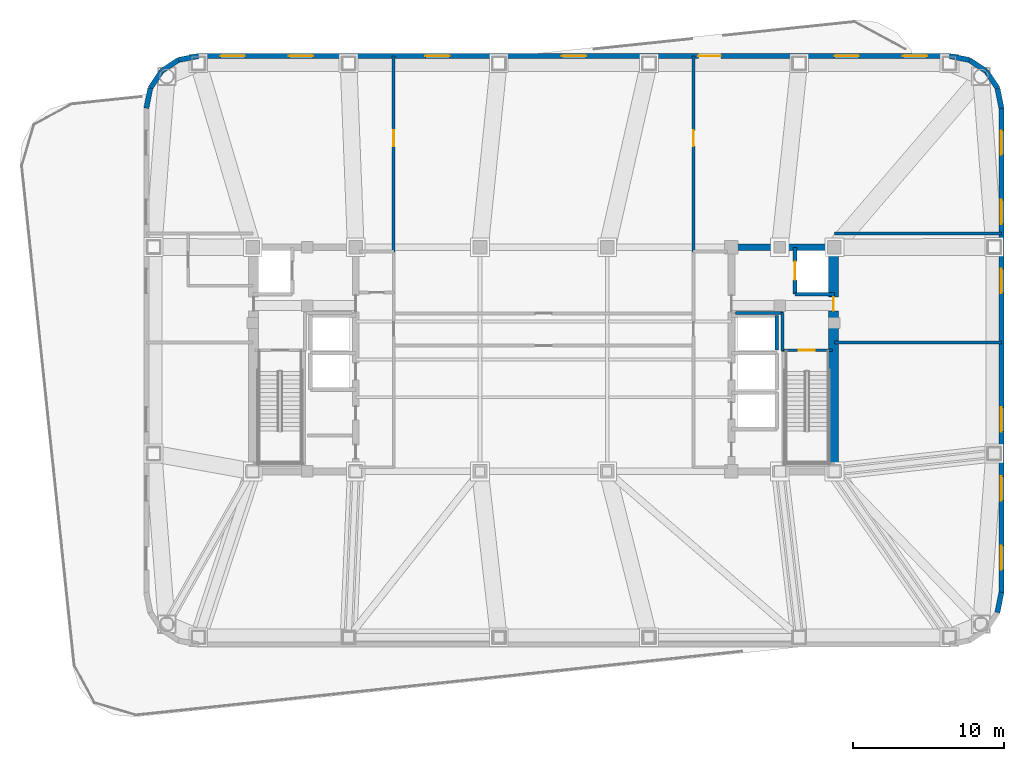
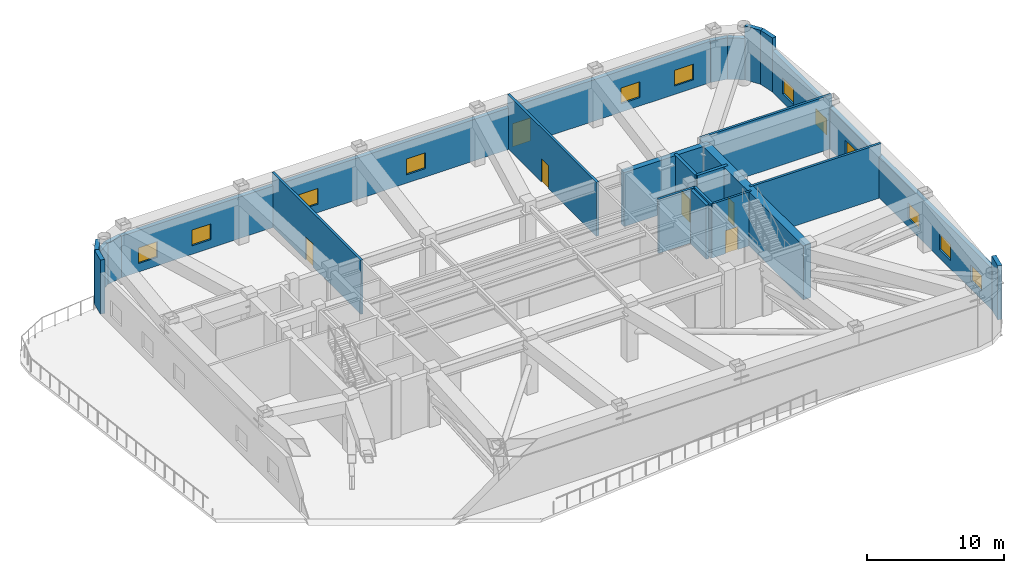
# One storey, part 5 of 10: 23 walls, 12 windows, 6 doors, 18 openings.
"""IFC4 building model written with IfcOpenShell, lengths in metres."""

import ifcopenshell
import ifcopenshell.guid

model = None  # the IFC model being written
_history = None  # IfcOwnerHistory: only IFC2X3 demands one
_inside = {}  # id of a spatial element -> (the spatial element, [elements in it])
_under = {}  # id of a project, library or spatial element -> (it, [spatial elements below it])
_declared = {}  # id of a project -> (the project, [libraries it declares])
_typed = {}  # id of a type object -> (the type object, [elements of that type])
_made_of = {}  # id of a material, layer set ... -> (it, [elements and type objects made of it])


def new_model(schema):
    """Start an empty IFC model of exactly this schema.

    Asked for "IFC4X3", IfcOpenShell would pick the latest addendum, in which some entities
    have other attributes; the version numbers below select the first issue.
    IFC2X3 requires an IfcOwnerHistory on every rooted entity: one is made here for all.
    """
    global model, _history
    if schema == "IFC4X3":
        model = ifcopenshell.file(schema_version=(4, 3, 0, 0))
    else:
        model = ifcopenshell.file(schema=schema)
    _inside.clear()
    _under.clear()
    _declared.clear()
    _typed.clear()
    _made_of.clear()
    _history = None
    if model.schema == "IFC2X3":
        org = make("IfcOrganization", Name="unknown")
        user = make(
            "IfcPersonAndOrganization",
            ThePerson=make("IfcPerson", FamilyName="unknown"),
            TheOrganization=org,
        )
        app = make(
            "IfcApplication",
            ApplicationDeveloper=org,
            Version="unknown",
            ApplicationFullName="unknown",
            ApplicationIdentifier="unknown",
        )
        _history = make(
            "IfcOwnerHistory",
            OwningUser=user,
            OwningApplication=app,
            ChangeAction="ADDED",
            CreationDate=0,
        )
    return model


def make(cls, **values):
    """One entity of the class cls with the attributes given. An attribute that is None is left unset."""
    return model.create_entity(
        cls, **{name: value for name, value in values.items() if value is not None}
    )


def rooted(cls, **values):
    """An entity with a GlobalId (a new one), such as an element, a storey or a relation."""
    return make(cls, GlobalId=ifcopenshell.guid.new(), OwnerHistory=_history, **values)


def si_unit(unit_type, name, prefix=None):
    """IfcSIUnit, for example si_unit("LENGTHUNIT", "METRE", prefix="MILLI")."""
    return make("IfcSIUnit", UnitType=unit_type, Prefix=prefix, Name=name)


def assignment(units):
    """IfcUnitAssignment: the units of a project."""
    return None if units is None else make("IfcUnitAssignment", Units=units)


def point(xyz):
    """IfcCartesianPoint."""
    return None if xyz is None else make("IfcCartesianPoint", Coordinates=xyz)


def direction(xyz):
    """IfcDirection."""
    return None if xyz is None else make("IfcDirection", DirectionRatios=xyz)


def frame(location, z_axis=None, x_axis=None):
    """IfcAxis2Placement3D, a coordinate frame: its origin and axes. An axis left out is left unset."""
    return make(
        "IfcAxis2Placement3D",
        Location=point(location),
        Axis=direction(z_axis),
        RefDirection=direction(x_axis),
    )


def frame_2d(location, x_axis=None):
    """IfcAxis2Placement2D, a coordinate frame in the plane: its origin and x axis."""
    return make(
        "IfcAxis2Placement2D", Location=point(location), RefDirection=direction(x_axis)
    )


def origin():
    """The frame at (0, 0, 0) with its axes left unset."""
    return frame((0.0, 0.0, 0.0))


def place(relative_to, where):
    """IfcLocalPlacement: puts the frame where relative to a parent placement (None: the world)."""
    return make(
        "IfcLocalPlacement", PlacementRelTo=relative_to, RelativePlacement=where
    )


def context(
    kind, dimensions, precision=None, world=None, true_north=None, identifier=None
):
    """IfcGeometricRepresentationContext, for example the 3D "Model" context."""
    return make(
        "IfcGeometricRepresentationContext",
        ContextIdentifier=identifier,
        ContextType=kind,
        CoordinateSpaceDimension=dimensions,
        Precision=precision,
        WorldCoordinateSystem=world,
        TrueNorth=true_north,
    )


def subcontext(parent, identifier, kind, view, scale=None):
    """IfcGeometricRepresentationSubContext, for example "Body" below "Model"."""
    return make(
        "IfcGeometricRepresentationSubContext",
        ContextIdentifier=identifier,
        ContextType=kind,
        ParentContext=parent,
        TargetScale=scale,
        TargetView=view,
    )


def project(units=None, contexts=None):
    """IfcProject with its units and contexts."""
    return rooted(
        "IfcProject",
        Name="project",
        RepresentationContexts=contexts,
        UnitsInContext=assignment(units),
    )


def spatial(cls, under=None, at=None, **own):
    """A site, building, storey or space (cls), placed at a placement, below another one or the project."""
    s = rooted(cls, ObjectPlacement=at, **own)
    if under is not None:
        _under.setdefault(under.id(), (under, []))[1].append(s)
    return s


def profile(cls, at=None, kind="AREA", **sizes):
    """A parametric profile (cls). Its sizes go by their IFC names, for example OverallWidth=200.0."""
    return make(cls, ProfileType=kind, Position=at, **sizes)


def rectangle(**sizes):
    """IfcRectangleProfileDef."""
    return profile("IfcRectangleProfileDef", **sizes)


def extrude(swept, where, along, depth):
    """IfcExtrudedAreaSolid: the profile swept, set in the frame where, extruded along a direction by depth."""
    return make(
        "IfcExtrudedAreaSolid",
        SweptArea=swept,
        Position=where,
        ExtrudedDirection=direction(along),
        Depth=depth,
    )


def shape(context_of_items, identifier, shape_type, items):
    """IfcShapeRepresentation: the items that make up one representation, for example the "Body"."""
    return make(
        "IfcShapeRepresentation",
        ContextOfItems=context_of_items,
        RepresentationIdentifier=identifier,
        RepresentationType=shape_type,
        Items=items,
    )


def material(Name=None, Category=None):
    """IfcMaterial."""
    return make("IfcMaterial", Name=Name, Category=Category)


def layer(
    of_material, thickness, ventilated=None, Name=None, Category=None, Priority=None
):
    """IfcMaterialLayer: one layer of a wall or slab, of a material (None: an air gap)."""
    return make(
        "IfcMaterialLayer",
        Material=of_material,
        LayerThickness=thickness,
        IsVentilated=ventilated,
        Name=Name,
        Category=Category,
        Priority=Priority,
    )


def layer_set(layers, Name=None):
    """IfcMaterialLayerSet."""
    return make("IfcMaterialLayerSet", MaterialLayers=layers, LayerSetName=Name)


def made_of(thing, what):
    """Note that an element or type object is made of a material, layer set ...; save() writes the relation."""
    if what is not None:
        _made_of.setdefault(what.id(), (what, []))[1].append(thing)
    return thing


def type_object(cls, material=None, **own):
    """A type object (cls), such as IfcWallType, which elements share."""
    return made_of(rooted(cls, **own), material)


def element(
    cls,
    number,
    at=None,
    inside=None,
    cuts=None,
    type_object=None,
    material=None,
    context=None,
    identifier="Body",
    shape_type=None,
    held_by="IfcProductDefinitionShape",
    body=None,
    shapes=None,
    **own,
):
    """One element of the class cls, such as IfcWall. Its Tag is "e" and its number.

    at: its placement. inside: the storey or other place that contains it. cuts: it is an
    opening in that element (IfcRelVoidsElement). A single representation is given by context,
    identifier, shape_type and body (its items); several are given by shapes. held_by: the class
    of the entity that holds the representations. save() writes the other relations.
    """
    e = rooted(cls, Tag="e%d" % number, ObjectPlacement=at, **own)
    if body is not None:
        shapes = [shape(context, identifier, shape_type, body)]
    if shapes is not None:
        e.Representation = make(held_by, Representations=shapes)
    if inside is not None:
        _inside.setdefault(inside.id(), (inside, []))[1].append(e)
    if cuts is not None:
        rooted(
            "IfcRelVoidsElement", RelatingBuildingElement=cuts, RelatedOpeningElement=e
        )
    if type_object is not None:
        _typed.setdefault(type_object.id(), (type_object, []))[1].append(e)
    return made_of(e, material)


def fill(opening, filler):
    """IfcRelFillsElement: the door or window that sits in an opening."""
    return rooted(
        "IfcRelFillsElement",
        RelatingOpeningElement=opening,
        RelatedBuildingElement=filler,
    )


def aggregate(whole, parts):
    """IfcRelAggregates: a whole, such as a stair, and the parts it consists of."""
    return rooted("IfcRelAggregates", RelatingObject=whole, RelatedObjects=parts)


def save(model, path):
    """Write the relations noted so far, then the file.

    IfcRelAggregates (storeys below a building ...), IfcRelContainedInSpatialStructure (elements
    in a storey), IfcRelDefinesByType, IfcRelAssociatesMaterial and IfcRelDeclares: one each for
    every whole, place, type object, material and project.
    """
    for whole, parts in _under.values():
        aggregate(whole, parts)
    for where, things in _inside.values():
        rooted(
            "IfcRelContainedInSpatialStructure",
            RelatedElements=things,
            RelatingStructure=where,
        )
    for kind, things in _typed.values():
        rooted("IfcRelDefinesByType", RelatedObjects=things, RelatingType=kind)
    for what, things in _made_of.values():
        rooted("IfcRelAssociatesMaterial", RelatedObjects=things, RelatingMaterial=what)
    for by, libraries in _declared.values():
        rooted("IfcRelDeclares", RelatingContext=by, RelatedDefinitions=libraries)
    model.write(path)


model = new_model("IFC4")

# Units and contexts
model_context = context("Model", 3, precision=1e-05, world=origin(), true_north=direction((0.0, 1.0)))
body_context = subcontext(model_context, "Body", "Model", "MODEL_VIEW")
ifc_project = project(units=[si_unit("LENGTHUNIT", "METRE"), si_unit("AREAUNIT", "SQUARE_METRE"), si_unit("VOLUMEUNIT", "CUBIC_METRE"), si_unit("PLANEANGLEUNIT", "RADIAN"), si_unit("MASSUNIT", "GRAM", prefix="KILO")], contexts=[model_context])

# Site, building, storey
site_placement = place(None, origin())
site = spatial("IfcSite", under=ifc_project, at=site_placement, CompositionType="ELEMENT")
building_placement = place(site_placement, origin())
building = spatial("IfcBuilding", under=site, at=building_placement, Name="Voryun Gate Residences", CompositionType="ELEMENT")
storey_placement = place(building_placement, frame((0.0, 0.0, 195.0)))
storey = spatial("IfcBuildingStorey", under=building, at=storey_placement, Name="L48", CompositionType="ELEMENT", Elevation=195.0)

# Wall
ifc_material_1 = material(Name="Concrete C50/60", Category="concrete")
ifc_layer_1 = layer(ifc_material_1, 0.449951171875, Name="CW_CORE_450")
ifc_layer_set_1 = layer_set([ifc_layer_1], Name="Concrete C50/60")
wall_type_1 = type_object("IfcWallType", Name="CW_CORE_450", PredefinedType="SHEAR", material=ifc_layer_set_1)
wall_1_placement = place(storey_placement, frame((12.175048828125, 7.39990234375, 0.0), z_axis=(0.0, 0.0, 1.0), x_axis=(1.0, 0.0, 0.0)))
element("IfcWall", 1, at=wall_1_placement, inside=storey, type_object=wall_type_1, Name="L48 Core shear wall CW-L48-EN", PredefinedType="SHEAR", context=body_context, shape_type="SweptSolid", body=[
    extrude(rectangle(XDim=7.25, YDim=0.449951171875, at=frame_2d((3.625, 0.0))), origin(), (0.0, 0.0, 1.0), 4.800048828125),
])

# Wall, opening, door
ifc_material_2 = material(Name="Concrete C60/75", Category="concrete")
ifc_layer_2 = layer(ifc_material_2, 0.64990234375, Name="CW_CORE_650")
ifc_layer_set_2 = layer_set([ifc_layer_2], Name="Concrete C60/75")
wall_type_2 = type_object("IfcWallType", Name="CW_CORE_650", PredefinedType="SHEAR", material=ifc_layer_set_2)
wall_2_placement = place(storey_placement, frame((19.14501953125, -7.39990234375, 0.0), z_axis=(0.0, 0.0, 1.0), x_axis=(0.0, 1.0, 0.0)))
wall_2 = element("IfcWall", 2, at=wall_2_placement, inside=storey, type_object=wall_type_2, Name="L48 Core shear wall CW-L48-EE", PredefinedType="SHEAR", context=body_context, shape_type="SweptSolid", body=[
    extrude(rectangle(XDim=14.7998046875, YDim=0.64990234375, at=frame_2d((7.39990234375, 0.0))), origin(), (0.0, 0.0, 1.0), 4.800048828125),
])
opening_1_placement = place(wall_2_placement, frame((10.60009765625, 0.0, 0.0)))
opening_1 = element("IfcOpeningElement", 3, at=opening_1_placement, cuts=wall_2, Name="Opening D-FD60-4", PredefinedType="OPENING", context=body_context, shape_type="SweptSolid", body=[
    extrude(rectangle(XDim=0.89990234375, YDim=2.050048828125, at=frame_2d((0.449951171875, 1.02490234375))), frame((0.0, 0.3349609375, 0.0), z_axis=(0.0, -1.0, 0.0), x_axis=(1.0, 0.0, 0.0)), (0.0, 0.0, 1.0), 0.669921875),
])
ifc_material_3 = material(Name="Painted steel fire door", Category="steel")
door_type_1 = type_object("IfcDoorType", Name="DR_FD60_RISER_900", OperationType="NOTDEFINED", PredefinedType="DOOR", material=ifc_material_3)
door_1_placement = place(opening_1_placement, origin())
door_1 = element("IfcDoor", 4, at=door_1_placement, inside=storey, type_object=door_type_1, Name="Door DR-L48-STREF-E", OperationType="SINGLE_SWING_LEFT", OverallHeight=2.050048828125, OverallWidth=0.89990234375, PredefinedType="DOOR", context=body_context, shape_type="SweptSolid", body=[
    extrude(rectangle(XDim=0.89990234375, YDim=2.050048828125, at=frame_2d((0.449951171875, 1.02490234375))), frame((0.0, 0.02490234375, 0.0), z_axis=(0.0, -1.0, 0.0), x_axis=(1.0, 0.0, 0.0)), (0.0, 0.0, 1.0), 0.050048828125),
])
fill(opening_1, door_1)

ifc_material_4 = material(Name="Gypsum acoustic fireboard")
ifc_layer_3 = layer(ifc_material_4, 0.179931640625, Name="W_CORR_RATED_180")
ifc_layer_set_3 = layer_set([ifc_layer_3], Name="Gypsum acoustic fireboard")
wall_type_3 = type_object("IfcWallType", Name="W_CORR_RATED_180", PredefinedType="PARTITIONING", material=ifc_layer_set_3)
wall_3_placement = place(storey_placement, frame((15.699951171875, 0.60009765625, 0.0), z_axis=(0.0, 0.0, 1.0), x_axis=(1.0, 0.0, 0.0)))
wall_3 = element("IfcWall", 5, at=wall_3_placement, inside=storey, type_object=wall_type_3, Name="Partition wall WP-L48-STV-E", PredefinedType="PARTITIONING", context=body_context, shape_type="SweptSolid", body=[
    extrude(rectangle(XDim=3.360107421875, YDim=0.179931640625, at=frame_2d((1.68017578125, 0.0))), origin(), (0.0, 0.0, 1.0), 4.800048828125),
])
opening_2_placement = place(wall_3_placement, frame((1.155029296875, 0.0, 0.0)))
opening_2 = element("IfcOpeningElement", 6, at=opening_2_placement, cuts=wall_3, Name="Opening D-FD60-1", PredefinedType="OPENING", context=body_context, shape_type="SweptSolid", body=[
    extrude(rectangle(XDim=1.050048828125, YDim=2.050048828125, at=frame_2d((0.52490234375, 1.02490234375))), frame((0.0, 0.099853515625, 0.0), z_axis=(0.0, -1.0, 0.0), x_axis=(1.0, 0.0, 0.0)), (0.0, 0.0, 1.0), 0.199951171875),
])
ifc_material_5 = material(Name="Painted steel fire door", Category="steel")
door_type_2 = type_object("IfcDoorType", Name="DR_FD60_STAIR_1050", OperationType="NOTDEFINED", PredefinedType="DOOR", material=ifc_material_5)
door_2_placement = place(opening_2_placement, origin())
door_2 = element("IfcDoor", 7, at=door_2_placement, inside=storey, type_object=door_type_2, Name="Door DR-L48-ST-E", OperationType="SINGLE_SWING_RIGHT", OverallHeight=2.050048828125, OverallWidth=1.050048828125, PredefinedType="DOOR", context=body_context, shape_type="SweptSolid", body=[
    extrude(rectangle(XDim=1.050048828125, YDim=2.050048828125, at=frame_2d((0.52490234375, 1.02490234375))), frame((0.0, 0.02490234375, 0.0), z_axis=(0.0, -1.0, 0.0), x_axis=(1.0, 0.0, 0.0)), (0.0, 0.0, 1.0), 0.050048828125),
])
fill(opening_2, door_2)

# Walls
ifc_material_6 = material(Name="Charcoal terracotta masonry", Category="masonry")
ifc_layer_4 = layer(ifc_material_6, 0.340087890625, Name="W_EXT_TERRACOTTA_340")
ifc_layer_set_4 = layer_set([ifc_layer_4], Name="Charcoal terracotta masonry")
wall_type_4 = type_object("IfcWallType", Name="W_EXT_TERRACOTTA_340", PredefinedType="ELEMENTEDWALL", material=ifc_layer_set_4)
wall_4_placement = place(storey_placement, frame((-26.22998046875, 16.583251953125, 0.0), z_axis=(0.0, 0.0, 1.0), x_axis=(0.195075878998, 0.980788153188, 0.0)))
element("IfcWall", 8, at=wall_4_placement, inside=storey, type_object=wall_type_4, Name="Exterior wall WEXT-L48-07", PredefinedType="ELEMENTEDWALL", context=body_context, shape_type="SweptSolid", body=[
    extrude(rectangle(XDim=1.354248046875, YDim=0.340087890625, at=frame_2d((0.67724609375, 0.0))), origin(), (0.0, 0.0, 1.0), 4.800048828125),
])
wall_5_placement = place(storey_placement, frame((-25.9658203125, 17.911376953125, 0.0), z_axis=(0.0, 0.0, 1.0), x_axis=(0.555669034571, 0.831403586725, 0.0)))
element("IfcWall", 9, at=wall_5_placement, inside=storey, type_object=wall_type_4, Name="Exterior wall WEXT-L48-08", PredefinedType="ELEMENTEDWALL", context=body_context, shape_type="SweptSolid", body=[
    extrude(rectangle(XDim=1.3369140625, YDim=0.340087890625, at=frame_2d((0.66845703125, 0.0))), origin(), (0.0, 0.0, 1.0), 4.800048828125),
])
wall_6_placement = place(storey_placement, frame((-25.222900390625, 19.02294921875, 0.0), z_axis=(0.0, 0.0, 1.0), x_axis=(0.831403586725, 0.555669034571, 0.0)))
element("IfcWall", 10, at=wall_6_placement, inside=storey, type_object=wall_type_4, Name="Exterior wall WEXT-L48-09", PredefinedType="ELEMENTEDWALL", context=body_context, shape_type="SweptSolid", body=[
    extrude(rectangle(XDim=1.3369140625, YDim=0.340087890625, at=frame_2d((0.66845703125, 0.0))), origin(), (0.0, 0.0, 1.0), 3.68994140625),
])
wall_7_placement = place(storey_placement, frame((-24.111328125, 19.765869140625, 0.0), z_axis=(0.0, 0.0, 1.0), x_axis=(0.980788153188, 0.195075878998, 0.0)))
element("IfcWall", 11, at=wall_7_placement, inside=storey, type_object=wall_type_4, Name="Exterior wall WEXT-L48-10", PredefinedType="ELEMENTEDWALL", context=body_context, shape_type="SweptSolid", body=[
    extrude(rectangle(XDim=1.354248046875, YDim=0.340087890625, at=frame_2d((0.67724609375, 0.0))), origin(), (0.0, 0.0, 1.0), 3.68994140625),
])

# Wall, openings, door, windows
wall_8_placement = place(storey_placement, frame((-22.783203125, 20.030029296875, 0.0), z_axis=(0.0, 0.0, 1.0), x_axis=(1.0, 0.0, 0.0)))
wall_8 = element("IfcWall", 12, at=wall_8_placement, inside=storey, type_object=wall_type_4, Name="Exterior wall WEXT-L48-11", PredefinedType="ELEMENTEDWALL", context=body_context, shape_type="SweptSolid", body=[
    extrude(rectangle(XDim=49.56640625, YDim=0.340087890625, at=frame_2d((24.783203125, 0.0))), origin(), (0.0, 0.0, 1.0), 3.68994140625),
])
opening_3_placement = place(wall_8_placement, frame((1.452880859375, 0.0, 0.75)))
opening_3 = element("IfcOpeningElement", 13, at=opening_3_placement, cuts=wall_8, Name="Opening WN8", PredefinedType="OPENING", context=body_context, shape_type="SweptSolid", body=[
    extrude(rectangle(XDim=1.60009765625, YDim=1.39990234375, at=frame_2d((0.800048828125, 0.699951171875))), frame((0.0, 0.179931640625, 0.0), z_axis=(0.0, -1.0, 0.0), x_axis=(1.0, 0.0, 0.0)), (0.0, 0.0, 1.0), 0.360107421875),
])
opening_4_placement = place(wall_8_placement, frame((5.958984375, 0.0, 0.75)))
opening_4 = element("IfcOpeningElement", 14, at=opening_4_placement, cuts=wall_8, Name="Opening WN8", PredefinedType="OPENING", context=body_context, shape_type="SweptSolid", body=[
    extrude(rectangle(XDim=1.60009765625, YDim=1.39990234375, at=frame_2d((0.800048828125, 0.699951171875))), frame((0.0, 0.179931640625, 0.0), z_axis=(0.0, -1.0, 0.0), x_axis=(1.0, 0.0, 0.0)), (0.0, 0.0, 1.0), 0.360107421875),
])
opening_5_placement = place(wall_8_placement, frame((14.97119140625, 0.0, 0.75)))
opening_5 = element("IfcOpeningElement", 15, at=opening_5_placement, cuts=wall_8, Name="Opening WN8", PredefinedType="OPENING", context=body_context, shape_type="SweptSolid", body=[
    extrude(rectangle(XDim=1.60009765625, YDim=1.39990234375, at=frame_2d((0.800048828125, 0.699951171875))), frame((0.0, 0.179931640625, 0.0), z_axis=(0.0, -1.0, 0.0), x_axis=(1.0, 0.0, 0.0)), (0.0, 0.0, 1.0), 0.360107421875),
])
opening_6_placement = place(wall_8_placement, frame((23.9833984375, 0.0, 0.75)))
opening_6 = element("IfcOpeningElement", 16, at=opening_6_placement, cuts=wall_8, Name="Opening WN8", PredefinedType="OPENING", context=body_context, shape_type="SweptSolid", body=[
    extrude(rectangle(XDim=1.60009765625, YDim=1.39990234375, at=frame_2d((0.800048828125, 0.699951171875))), frame((0.0, 0.179931640625, 0.0), z_axis=(0.0, -1.0, 0.0), x_axis=(1.0, 0.0, 0.0)), (0.0, 0.0, 1.0), 0.360107421875),
])
opening_7_placement = place(wall_8_placement, frame((32.995361328125, 0.0, 0.0)))
opening_7 = element("IfcOpeningElement", 17, at=opening_7_placement, cuts=wall_8, Name="Opening D-TER-1", PredefinedType="OPENING", context=body_context, shape_type="SweptSolid", body=[
    extrude(rectangle(XDim=1.5, YDim=2.050048828125, at=frame_2d((0.75, 1.02490234375))), frame((0.0, 0.179931640625, 0.0), z_axis=(0.0, -1.0, 0.0), x_axis=(1.0, 0.0, 0.0)), (0.0, 0.0, 1.0), 0.360107421875),
])
opening_8_placement = place(wall_8_placement, frame((42.007568359375, 0.0, 0.75)))
opening_8 = element("IfcOpeningElement", 18, at=opening_8_placement, cuts=wall_8, Name="Opening WN8", PredefinedType="OPENING", context=body_context, shape_type="SweptSolid", body=[
    extrude(rectangle(XDim=1.60009765625, YDim=1.39990234375, at=frame_2d((0.800048828125, 0.699951171875))), frame((0.0, 0.179931640625, 0.0), z_axis=(0.0, -1.0, 0.0), x_axis=(1.0, 0.0, 0.0)), (0.0, 0.0, 1.0), 0.360107421875),
])
opening_9_placement = place(wall_8_placement, frame((46.513671875, 0.0, 0.75)))
opening_9 = element("IfcOpeningElement", 19, at=opening_9_placement, cuts=wall_8, Name="Opening WN8", PredefinedType="OPENING", context=body_context, shape_type="SweptSolid", body=[
    extrude(rectangle(XDim=1.60009765625, YDim=1.39990234375, at=frame_2d((0.800048828125, 0.699951171875))), frame((0.0, 0.179931640625, 0.0), z_axis=(0.0, -1.0, 0.0), x_axis=(1.0, 0.0, 0.0)), (0.0, 0.0, 1.0), 0.360107421875),
])
ifc_material_7 = material(Name="Thermally broken aluminium and low-E glass", Category="aluminium")
door_type_3 = type_object("IfcDoorType", Name="DR_TERR_EXIT_1500", OperationType="NOTDEFINED", PredefinedType="DOOR", material=ifc_material_7)
door_3_placement = place(opening_7_placement, origin())
door_3 = element("IfcDoor", 20, at=door_3_placement, inside=storey, type_object=door_type_3, Name="Door DR-L48-OUT-01", OperationType="DOUBLE_DOOR_SINGLE_SWING", OverallHeight=2.050048828125, OverallWidth=1.5, PredefinedType="DOOR", context=body_context, shape_type="SweptSolid", body=[
    extrude(rectangle(XDim=1.5, YDim=2.050048828125, at=frame_2d((0.75, 1.02490234375))), frame((0.0, 0.02490234375, 0.0), z_axis=(0.0, -1.0, 0.0), x_axis=(1.0, 0.0, 0.0)), (0.0, 0.0, 1.0), 0.050048828125),
])
fill(opening_7, door_3)
ifc_material_8 = material(Name="Anodised aluminium", Category="aluminium")
window_type = type_object("IfcWindowType", Name="WN_REFUGE_LOUVRE_1600", PartitioningType="SINGLE_PANEL", PredefinedType="WINDOW", material=ifc_material_8)
window_1_placement = place(opening_3_placement, origin())
window_1 = element("IfcWindow", 21, at=window_1_placement, inside=storey, type_object=window_type, Name="Window WN-L48-LV-11-01", OverallHeight=1.39990234375, OverallWidth=1.60009765625, PartitioningType="SINGLE_PANEL", PredefinedType="WINDOW", context=body_context, shape_type="SweptSolid", body=[
    extrude(rectangle(XDim=1.60009765625, YDim=1.39990234375, at=frame_2d((0.800048828125, 0.699951171875))), frame((0.0, 0.030029296875, 0.0), z_axis=(0.0, -1.0, 0.0), x_axis=(1.0, 0.0, 0.0)), (0.0, 0.0, 1.0), 0.06005859375),
])
fill(opening_3, window_1)
window_2_placement = place(opening_4_placement, origin())
window_2 = element("IfcWindow", 22, at=window_2_placement, inside=storey, type_object=window_type, Name="Window WN-L48-LV-11-02", OverallHeight=1.39990234375, OverallWidth=1.60009765625, PartitioningType="SINGLE_PANEL", PredefinedType="WINDOW", context=body_context, shape_type="SweptSolid", body=[
    extrude(rectangle(XDim=1.60009765625, YDim=1.39990234375, at=frame_2d((0.800048828125, 0.699951171875))), frame((0.0, 0.030029296875, 0.0), z_axis=(0.0, -1.0, 0.0), x_axis=(1.0, 0.0, 0.0)), (0.0, 0.0, 1.0), 0.06005859375),
])
fill(opening_4, window_2)
window_3_placement = place(opening_5_placement, origin())
window_3 = element("IfcWindow", 23, at=window_3_placement, inside=storey, type_object=window_type, Name="Window WN-L48-LV-11-04", OverallHeight=1.39990234375, OverallWidth=1.60009765625, PartitioningType="SINGLE_PANEL", PredefinedType="WINDOW", context=body_context, shape_type="SweptSolid", body=[
    extrude(rectangle(XDim=1.60009765625, YDim=1.39990234375, at=frame_2d((0.800048828125, 0.699951171875))), frame((0.0, 0.030029296875, 0.0), z_axis=(0.0, -1.0, 0.0), x_axis=(1.0, 0.0, 0.0)), (0.0, 0.0, 1.0), 0.06005859375),
])
fill(opening_5, window_3)
window_4_placement = place(opening_6_placement, origin())
window_4 = element("IfcWindow", 24, at=window_4_placement, inside=storey, type_object=window_type, Name="Window WN-L48-LV-11-06", OverallHeight=1.39990234375, OverallWidth=1.60009765625, PartitioningType="SINGLE_PANEL", PredefinedType="WINDOW", context=body_context, shape_type="SweptSolid", body=[
    extrude(rectangle(XDim=1.60009765625, YDim=1.39990234375, at=frame_2d((0.800048828125, 0.699951171875))), frame((0.0, 0.030029296875, 0.0), z_axis=(0.0, -1.0, 0.0), x_axis=(1.0, 0.0, 0.0)), (0.0, 0.0, 1.0), 0.06005859375),
])
fill(opening_6, window_4)
window_5_placement = place(opening_8_placement, origin())
window_5 = element("IfcWindow", 25, at=window_5_placement, inside=storey, type_object=window_type, Name="Window WN-L48-LV-11-10", OverallHeight=1.39990234375, OverallWidth=1.60009765625, PartitioningType="SINGLE_PANEL", PredefinedType="WINDOW", context=body_context, shape_type="SweptSolid", body=[
    extrude(rectangle(XDim=1.60009765625, YDim=1.39990234375, at=frame_2d((0.800048828125, 0.699951171875))), frame((0.0, 0.030029296875, 0.0), z_axis=(0.0, -1.0, 0.0), x_axis=(1.0, 0.0, 0.0)), (0.0, 0.0, 1.0), 0.06005859375),
])
fill(opening_8, window_5)
window_6_placement = place(opening_9_placement, origin())
window_6 = element("IfcWindow", 26, at=window_6_placement, inside=storey, type_object=window_type, Name="Window WN-L48-LV-11-11", OverallHeight=1.39990234375, OverallWidth=1.60009765625, PartitioningType="SINGLE_PANEL", PredefinedType="WINDOW", context=body_context, shape_type="SweptSolid", body=[
    extrude(rectangle(XDim=1.60009765625, YDim=1.39990234375, at=frame_2d((0.800048828125, 0.699951171875))), frame((0.0, 0.030029296875, 0.0), z_axis=(0.0, -1.0, 0.0), x_axis=(1.0, 0.0, 0.0)), (0.0, 0.0, 1.0), 0.06005859375),
])
fill(opening_9, window_6)

# Walls
wall_9_placement = place(storey_placement, frame((26.783203125, 20.030029296875, 0.0), z_axis=(0.0, 0.0, 1.0), x_axis=(0.980788153188, -0.195075878998, 0.0)))
element("IfcWall", 27, at=wall_9_placement, inside=storey, type_object=wall_type_4, Name="Exterior wall WEXT-L48-12", PredefinedType="ELEMENTEDWALL", context=body_context, shape_type="SweptSolid", body=[
    extrude(rectangle(XDim=1.354248046875, YDim=0.340087890625, at=frame_2d((0.67724609375, 0.0))), origin(), (0.0, 0.0, 1.0), 3.68994140625),
])
wall_10_placement = place(storey_placement, frame((28.111328125, 19.765869140625, 0.0), z_axis=(0.0, 0.0, 1.0), x_axis=(0.831403586725, -0.555669034571, 0.0)))
element("IfcWall", 28, at=wall_10_placement, inside=storey, type_object=wall_type_4, Name="Exterior wall WEXT-L48-13", PredefinedType="ELEMENTEDWALL", context=body_context, shape_type="SweptSolid", body=[
    extrude(rectangle(XDim=1.3369140625, YDim=0.340087890625, at=frame_2d((0.66845703125, 0.0))), origin(), (0.0, 0.0, 1.0), 3.68994140625),
])
wall_11_placement = place(storey_placement, frame((29.222900390625, 19.02294921875, 0.0), z_axis=(0.0, 0.0, 1.0), x_axis=(0.555669034571, -0.831403586725, 0.0)))
element("IfcWall", 29, at=wall_11_placement, inside=storey, type_object=wall_type_4, Name="Exterior wall WEXT-L48-14", PredefinedType="ELEMENTEDWALL", context=body_context, shape_type="SweptSolid", body=[
    extrude(rectangle(XDim=1.3369140625, YDim=0.340087890625, at=frame_2d((0.66845703125, 0.0))), origin(), (0.0, 0.0, 1.0), 4.800048828125),
])
wall_12_placement = place(storey_placement, frame((29.9658203125, 17.911376953125, 0.0), z_axis=(0.0, 0.0, 1.0), x_axis=(0.195075878998, -0.980788153188, 0.0)))
element("IfcWall", 30, at=wall_12_placement, inside=storey, type_object=wall_type_4, Name="Exterior wall WEXT-L48-15", PredefinedType="ELEMENTEDWALL", context=body_context, shape_type="SweptSolid", body=[
    extrude(rectangle(XDim=1.354248046875, YDim=0.340087890625, at=frame_2d((0.67724609375, 0.0))), origin(), (0.0, 0.0, 1.0), 4.800048828125),
])

# Wall, openings, windows
wall_13_placement = place(storey_placement, frame((30.22998046875, 16.583251953125, 0.0), z_axis=(0.0, 0.0, 1.0), x_axis=(0.0, -1.0, 0.0)))
wall_13 = element("IfcWall", 31, at=wall_13_placement, inside=storey, type_object=wall_type_4, Name="Exterior wall WEXT-L48-16", PredefinedType="ELEMENTEDWALL", context=body_context, shape_type="SweptSolid", body=[
    extrude(rectangle(XDim=31.966552734375, YDim=0.340087890625, at=frame_2d((15.9833984375, 0.0))), origin(), (0.0, 0.0, 1.0), 3.68994140625),
])
opening_10_placement = place(wall_13_placement, frame((1.4833984375, 0.0, 0.75)))
opening_10 = element("IfcOpeningElement", 32, at=opening_10_placement, cuts=wall_13, Name="Opening WN8", PredefinedType="OPENING", context=body_context, shape_type="SweptSolid", body=[
    extrude(rectangle(XDim=1.60009765625, YDim=1.39990234375, at=frame_2d((0.800048828125, 0.699951171875))), frame((0.0, 0.179931640625, 0.0), z_axis=(0.0, -1.0, 0.0), x_axis=(1.0, 0.0, 0.0)), (0.0, 0.0, 1.0), 0.360107421875),
])
opening_11_placement = place(wall_13_placement, frame((6.050048828125, 0.0, 0.75)))
opening_11 = element("IfcOpeningElement", 33, at=opening_11_placement, cuts=wall_13, Name="Opening WN8", PredefinedType="OPENING", context=body_context, shape_type="SweptSolid", body=[
    extrude(rectangle(XDim=1.60009765625, YDim=1.39990234375, at=frame_2d((0.800048828125, 0.699951171875))), frame((0.0, 0.179931640625, 0.0), z_axis=(0.0, -1.0, 0.0), x_axis=(1.0, 0.0, 0.0)), (0.0, 0.0, 1.0), 0.360107421875),
])
opening_12_placement = place(wall_13_placement, frame((10.61669921875, 0.0, 0.75)))
opening_12 = element("IfcOpeningElement", 34, at=opening_12_placement, cuts=wall_13, Name="Opening WN8", PredefinedType="OPENING", context=body_context, shape_type="SweptSolid", body=[
    extrude(rectangle(XDim=1.60009765625, YDim=1.39990234375, at=frame_2d((0.800048828125, 0.699951171875))), frame((0.0, 0.179931640625, 0.0), z_axis=(0.0, -1.0, 0.0), x_axis=(1.0, 0.0, 0.0)), (0.0, 0.0, 1.0), 0.360107421875),
])
opening_13_placement = place(wall_13_placement, frame((19.75, 0.0, 0.75)))
opening_13 = element("IfcOpeningElement", 35, at=opening_13_placement, cuts=wall_13, Name="Opening WN8", PredefinedType="OPENING", context=body_context, shape_type="SweptSolid", body=[
    extrude(rectangle(XDim=1.60009765625, YDim=1.39990234375, at=frame_2d((0.800048828125, 0.699951171875))), frame((0.0, 0.179931640625, 0.0), z_axis=(0.0, -1.0, 0.0), x_axis=(1.0, 0.0, 0.0)), (0.0, 0.0, 1.0), 0.360107421875),
])
opening_14_placement = place(wall_13_placement, frame((24.316650390625, 0.0, 0.75)))
opening_14 = element("IfcOpeningElement", 36, at=opening_14_placement, cuts=wall_13, Name="Opening WN8", PredefinedType="OPENING", context=body_context, shape_type="SweptSolid", body=[
    extrude(rectangle(XDim=1.60009765625, YDim=1.39990234375, at=frame_2d((0.800048828125, 0.699951171875))), frame((0.0, 0.179931640625, 0.0), z_axis=(0.0, -1.0, 0.0), x_axis=(1.0, 0.0, 0.0)), (0.0, 0.0, 1.0), 0.360107421875),
])
opening_15_placement = place(wall_13_placement, frame((28.88330078125, 0.0, 0.75)))
opening_15 = element("IfcOpeningElement", 37, at=opening_15_placement, cuts=wall_13, Name="Opening WN8", PredefinedType="OPENING", context=body_context, shape_type="SweptSolid", body=[
    extrude(rectangle(XDim=1.60009765625, YDim=1.39990234375, at=frame_2d((0.800048828125, 0.699951171875))), frame((0.0, 0.179931640625, 0.0), z_axis=(0.0, -1.0, 0.0), x_axis=(1.0, 0.0, 0.0)), (0.0, 0.0, 1.0), 0.360107421875),
])
window_7_placement = place(opening_10_placement, origin())
window_7 = element("IfcWindow", 38, at=window_7_placement, inside=storey, type_object=window_type, Name="Window WN-L48-LV-16-01", OverallHeight=1.39990234375, OverallWidth=1.60009765625, PartitioningType="SINGLE_PANEL", PredefinedType="WINDOW", context=body_context, shape_type="SweptSolid", body=[
    extrude(rectangle(XDim=1.60009765625, YDim=1.39990234375, at=frame_2d((0.800048828125, 0.699951171875))), frame((0.0, 0.030029296875, 0.0), z_axis=(0.0, -1.0, 0.0), x_axis=(1.0, 0.0, 0.0)), (0.0, 0.0, 1.0), 0.06005859375),
])
fill(opening_10, window_7)
window_8_placement = place(opening_11_placement, origin())
window_8 = element("IfcWindow", 39, at=window_8_placement, inside=storey, type_object=window_type, Name="Window WN-L48-LV-16-02", OverallHeight=1.39990234375, OverallWidth=1.60009765625, PartitioningType="SINGLE_PANEL", PredefinedType="WINDOW", context=body_context, shape_type="SweptSolid", body=[
    extrude(rectangle(XDim=1.60009765625, YDim=1.39990234375, at=frame_2d((0.800048828125, 0.699951171875))), frame((0.0, 0.030029296875, 0.0), z_axis=(0.0, -1.0, 0.0), x_axis=(1.0, 0.0, 0.0)), (0.0, 0.0, 1.0), 0.06005859375),
])
fill(opening_11, window_8)
window_9_placement = place(opening_12_placement, origin())
window_9 = element("IfcWindow", 40, at=window_9_placement, inside=storey, type_object=window_type, Name="Window WN-L48-LV-16-03", OverallHeight=1.39990234375, OverallWidth=1.60009765625, PartitioningType="SINGLE_PANEL", PredefinedType="WINDOW", context=body_context, shape_type="SweptSolid", body=[
    extrude(rectangle(XDim=1.60009765625, YDim=1.39990234375, at=frame_2d((0.800048828125, 0.699951171875))), frame((0.0, 0.030029296875, 0.0), z_axis=(0.0, -1.0, 0.0), x_axis=(1.0, 0.0, 0.0)), (0.0, 0.0, 1.0), 0.06005859375),
])
fill(opening_12, window_9)
window_10_placement = place(opening_13_placement, origin())
window_10 = element("IfcWindow", 41, at=window_10_placement, inside=storey, type_object=window_type, Name="Window WN-L48-LV-16-05", OverallHeight=1.39990234375, OverallWidth=1.60009765625, PartitioningType="SINGLE_PANEL", PredefinedType="WINDOW", context=body_context, shape_type="SweptSolid", body=[
    extrude(rectangle(XDim=1.60009765625, YDim=1.39990234375, at=frame_2d((0.800048828125, 0.699951171875))), frame((0.0, 0.030029296875, 0.0), z_axis=(0.0, -1.0, 0.0), x_axis=(1.0, 0.0, 0.0)), (0.0, 0.0, 1.0), 0.06005859375),
])
fill(opening_13, window_10)
window_11_placement = place(opening_14_placement, origin())
window_11 = element("IfcWindow", 42, at=window_11_placement, inside=storey, type_object=window_type, Name="Window WN-L48-LV-16-06", OverallHeight=1.39990234375, OverallWidth=1.60009765625, PartitioningType="SINGLE_PANEL", PredefinedType="WINDOW", context=body_context, shape_type="SweptSolid", body=[
    extrude(rectangle(XDim=1.60009765625, YDim=1.39990234375, at=frame_2d((0.800048828125, 0.699951171875))), frame((0.0, 0.030029296875, 0.0), z_axis=(0.0, -1.0, 0.0), x_axis=(1.0, 0.0, 0.0)), (0.0, 0.0, 1.0), 0.06005859375),
])
fill(opening_14, window_11)
window_12_placement = place(opening_15_placement, origin())
window_12 = element("IfcWindow", 43, at=window_12_placement, inside=storey, type_object=window_type, Name="Window WN-L48-LV-16-07", OverallHeight=1.39990234375, OverallWidth=1.60009765625, PartitioningType="SINGLE_PANEL", PredefinedType="WINDOW", context=body_context, shape_type="SweptSolid", body=[
    extrude(rectangle(XDim=1.60009765625, YDim=1.39990234375, at=frame_2d((0.800048828125, 0.699951171875))), frame((0.0, 0.030029296875, 0.0), z_axis=(0.0, -1.0, 0.0), x_axis=(1.0, 0.0, 0.0)), (0.0, 0.0, 1.0), 0.06005859375),
])
fill(opening_15, window_12)

# Walls
wall_14_placement = place(storey_placement, frame((30.22998046875, -15.38330078125, 0.0), z_axis=(0.0, 0.0, 1.0), x_axis=(-0.195110379894, -0.98078129043, 0.0)))
element("IfcWall", 44, at=wall_14_placement, inside=storey, type_object=wall_type_4, Name="Exterior wall WEXT-L48-17", PredefinedType="ELEMENTEDWALL", context=body_context, shape_type="SweptSolid", body=[
    extrude(rectangle(XDim=1.35400390625, YDim=0.340087890625, at=frame_2d((0.677001953125, 0.0))), origin(), (0.0, 0.0, 1.0), 4.800048828125),
])
ifc_material_9 = material(Name="Concrete C40/50", Category="concrete")
ifc_layer_5 = layer(ifc_material_9, 0.199951171875, Name="W_FF_LOBBY_200")
ifc_layer_set_5 = layer_set([ifc_layer_5], Name="Concrete C40/50")
wall_type_5 = type_object("IfcWallType", Name="W_FF_LOBBY_200", PredefinedType="PARTITIONING", material=ifc_layer_set_5)
wall_15_placement = place(storey_placement, frame((15.760009765625, 0.580078125, 0.0), z_axis=(0.0, 0.0, 1.0), x_axis=(0.0, 1.0, 0.0)))
element("IfcWall", 45, at=wall_15_placement, inside=storey, type_object=wall_type_5, Name="Partition wall WP-L48-FFP0-E", PredefinedType="PARTITIONING", context=body_context, shape_type="SweptSolid", body=[
    extrude(rectangle(XDim=2.52001953125, YDim=0.199951171875, at=frame_2d((1.260009765625, 0.0))), origin(), (0.0, 0.0, 1.0), 4.800048828125),
])
wall_16_placement = place(storey_placement, frame((12.659912109375, 3.06005859375, 0.0), z_axis=(0.0, 0.0, 1.0), x_axis=(1.0, 0.0, 0.0)))
element("IfcWall", 46, at=wall_16_placement, inside=storey, type_object=wall_type_5, Name="Partition wall WP-L48-FFPS-E", PredefinedType="PARTITIONING", context=body_context, shape_type="SweptSolid", body=[
    extrude(rectangle(XDim=3.16015625, YDim=0.199951171875, at=frame_2d((1.580078125, 0.0))), origin(), (0.0, 0.0, 1.0), 4.800048828125),
])
for number, where, z_axis, x_axis, name in (
    (47, (19.199951171875, 1.1201171875, 0.0), (0.0, 0.0, 1.0), (1.0, 0.0, 0.0), "Partition wall WP-L48-PES"),
    (48, (19.199951171875, 8.300048828125, 0.0), (0.0, 0.0, 1.0), (1.0, 0.0, 0.0), "Partition wall WP-L48-RFNE"),
):
    element("IfcWall", number, at=place(storey_placement, frame(where, z_axis=z_axis, x_axis=x_axis)), inside=storey, type_object=wall_type_5, Name=name, PredefinedType="PARTITIONING", context=body_context, shape_type="SweptSolid", body=[
        extrude(rectangle(XDim=11.030029296875, YDim=0.199951171875, at=frame_2d((5.51513671875, 0.0))), origin(), (0.0, 0.0, 1.0), 4.800048828125),
    ])

# Wall, opening, door
wall_17_placement = place(storey_placement, frame((-9.89990234375, 7.10009765625, 0.0), z_axis=(0.0, 0.0, 1.0), x_axis=(0.0, 1.0, 0.0)))
wall_17 = element("IfcWall", 49, at=wall_17_placement, inside=storey, type_object=wall_type_5, Name="Partition wall WP-L48-PL1W", PredefinedType="PARTITIONING", context=body_context, shape_type="SweptSolid", body=[
    extrude(rectangle(XDim=12.929931640625, YDim=0.199951171875, at=frame_2d((6.46484375, 0.0))), origin(), (0.0, 0.0, 1.0), 4.800048828125),
])
opening_16_placement = place(wall_17_placement, frame((6.974365234375, 0.0, 0.0)))
opening_16 = element("IfcOpeningElement", 50, at=opening_16_placement, cuts=wall_17, Name="Opening D-FD60-1", PredefinedType="OPENING", context=body_context, shape_type="SweptSolid", body=[
    extrude(rectangle(XDim=1.050048828125, YDim=2.050048828125, at=frame_2d((0.52490234375, 1.02490234375))), frame((0.0, 0.110107421875, 0.0), z_axis=(0.0, -1.0, 0.0), x_axis=(1.0, 0.0, 0.0)), (0.0, 0.0, 1.0), 0.219970703125),
])
door_4_placement = place(opening_16_placement, origin())
door_4 = element("IfcDoor", 51, at=door_4_placement, inside=storey, type_object=door_type_2, Name="Door DR-L48-PL3", OperationType="SINGLE_SWING_LEFT", OverallHeight=2.050048828125, OverallWidth=1.050048828125, PredefinedType="DOOR", context=body_context, shape_type="SweptSolid", body=[
    extrude(rectangle(XDim=1.050048828125, YDim=2.050048828125, at=frame_2d((0.52490234375, 1.02490234375))), frame((0.0, 0.02490234375, 0.0), z_axis=(0.0, -1.0, 0.0), x_axis=(1.0, 0.0, 0.0)), (0.0, 0.0, 1.0), 0.050048828125),
])
fill(opening_16, door_4)

wall_18_placement = place(storey_placement, frame((9.89990234375, 7.10009765625, 0.0), z_axis=(0.0, 0.0, 1.0), x_axis=(0.0, 1.0, 0.0)))
wall_18 = element("IfcWall", 52, at=wall_18_placement, inside=storey, type_object=wall_type_5, Name="Partition wall WP-L48-PL1E", PredefinedType="PARTITIONING", context=body_context, shape_type="SweptSolid", body=[
    extrude(rectangle(XDim=12.929931640625, YDim=0.199951171875, at=frame_2d((6.46484375, 0.0))), origin(), (0.0, 0.0, 1.0), 4.800048828125),
])
opening_17_placement = place(wall_18_placement, frame((6.974365234375, 0.0, 0.0)))
opening_17 = element("IfcOpeningElement", 53, at=opening_17_placement, cuts=wall_18, Name="Opening D-FD60-1", PredefinedType="OPENING", context=body_context, shape_type="SweptSolid", body=[
    extrude(rectangle(XDim=1.050048828125, YDim=2.050048828125, at=frame_2d((0.52490234375, 1.02490234375))), frame((0.0, 0.110107421875, 0.0), z_axis=(0.0, -1.0, 0.0), x_axis=(1.0, 0.0, 0.0)), (0.0, 0.0, 1.0), 0.219970703125),
])
door_5_placement = place(opening_17_placement, origin())
door_5 = element("IfcDoor", 54, at=door_5_placement, inside=storey, type_object=door_type_2, Name="Door DR-L48-PL4", OperationType="SINGLE_SWING_RIGHT", OverallHeight=2.050048828125, OverallWidth=1.050048828125, PredefinedType="DOOR", context=body_context, shape_type="SweptSolid", body=[
    extrude(rectangle(XDim=1.050048828125, YDim=2.050048828125, at=frame_2d((0.52490234375, 1.02490234375))), frame((0.0, 0.02490234375, 0.0), z_axis=(0.0, -1.0, 0.0), x_axis=(1.0, 0.0, 0.0)), (0.0, 0.0, 1.0), 0.050048828125),
])
fill(opening_17, door_5)

# Wall
ifc_material_10 = material(Name="Concrete C50/60", Category="concrete")
ifc_layer_6 = layer(ifc_material_10, 0.25, Name="W_SHAFT_RC250")
ifc_layer_set_6 = layer_set([ifc_layer_6], Name="Concrete C50/60")
wall_type_6 = type_object("IfcWallType", Name="W_SHAFT_RC250", PredefinedType="SOLIDWALL", material=ifc_layer_set_6)
wall_19_placement = place(storey_placement, frame((16.60009765625, 4.300048828125, 0.0), z_axis=(0.0, 0.0, 1.0), x_axis=(1.0, 0.0, 0.0)))
element("IfcWall", 55, at=wall_19_placement, inside=storey, type_object=wall_type_6, Name="Lift shaft wall WSH-L48-EL-FF-E1-S", PredefinedType="SOLIDWALL", context=body_context, shape_type="SweptSolid", body=[
    extrude(rectangle(XDim=2.599853515625, YDim=0.25, at=frame_2d((1.2998046875, 0.0))), origin(), (0.0, 0.0, 1.0), 4.800048828125),
])

# Wall, opening, door
wall_20_placement = place(storey_placement, frame((16.60009765625, 7.39990234375, 0.0), z_axis=(0.0, 0.0, 1.0), x_axis=(0.0, -1.0, 0.0)))
wall_20 = element("IfcWall", 56, at=wall_20_placement, inside=storey, type_object=wall_type_6, Name="Lift shaft wall WSH-L48-EL-FF-E1-W", PredefinedType="SOLIDWALL", context=body_context, shape_type="SweptSolid", body=[
    extrude(rectangle(XDim=3.099853515625, YDim=0.25, at=frame_2d((1.5498046875, 0.0))), origin(), (0.0, 0.0, 1.0), 4.800048828125),
])
opening_18_placement = place(wall_20_placement, frame((0.949951171875, 0.0, 0.0)))
opening_18 = element("IfcOpeningElement", 57, at=opening_18_placement, cuts=wall_20, Name="Opening LD1", PredefinedType="OPENING", context=body_context, shape_type="SweptSolid", body=[
    extrude(rectangle(XDim=1.199951171875, YDim=2.050048828125, at=frame_2d((0.60009765625, 1.02490234375))), frame((0.0, 0.135009765625, 0.0), z_axis=(0.0, -1.0, 0.0), x_axis=(1.0, 0.0, 0.0)), (0.0, 0.0, 1.0), 0.27001953125),
])
ifc_material_11 = material(Name="Anodised aluminium", Category="aluminium")
door_type_4 = type_object("IfcDoorType", Name="DR_LD_FF_1200", OperationType="NOTDEFINED", PredefinedType="DOOR", material=ifc_material_11)
door_6_placement = place(opening_18_placement, origin())
door_6 = element("IfcDoor", 58, at=door_6_placement, inside=storey, type_object=door_type_4, Name="Lift EL-FF-E1 sliding landing door L48", OperationType="SLIDING_TO_LEFT", OverallHeight=2.050048828125, OverallWidth=1.199951171875, PredefinedType="DOOR", context=body_context, shape_type="SweptSolid", body=[
    extrude(rectangle(XDim=1.199951171875, YDim=2.050048828125, at=frame_2d((0.60009765625, 1.02490234375))), frame((0.0, 0.02490234375, 0.0), z_axis=(0.0, -1.0, 0.0), x_axis=(1.0, 0.0, 0.0)), (0.0, 0.0, 1.0), 0.050048828125),
])
fill(opening_18, door_6)

# Wall
wall_21_placement = place(storey_placement, frame((15.39990234375, 0.60009765625, 0.0), z_axis=(0.0, 0.0, 1.0), x_axis=(0.0, 1.0, 0.0)))
element("IfcWall", 59, at=wall_21_placement, inside=storey, type_object=wall_type_6, Name="Lift shaft wall WSH-L48-EL-P8-E", PredefinedType="SOLIDWALL", context=body_context, shape_type="SweptSolid", body=[
    extrude(rectangle(XDim=2.2998046875, YDim=0.25, at=frame_2d((1.14990234375, 0.0))), origin(), (0.0, 0.0, 1.0), 4.800048828125),
])

save(model, "model.ifc")
